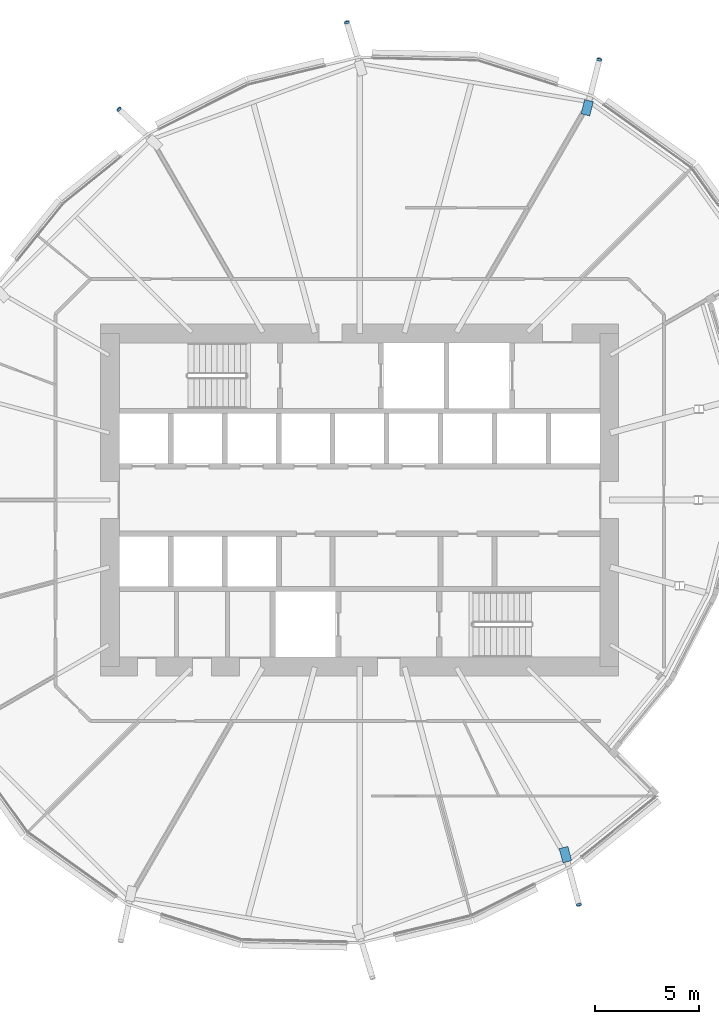
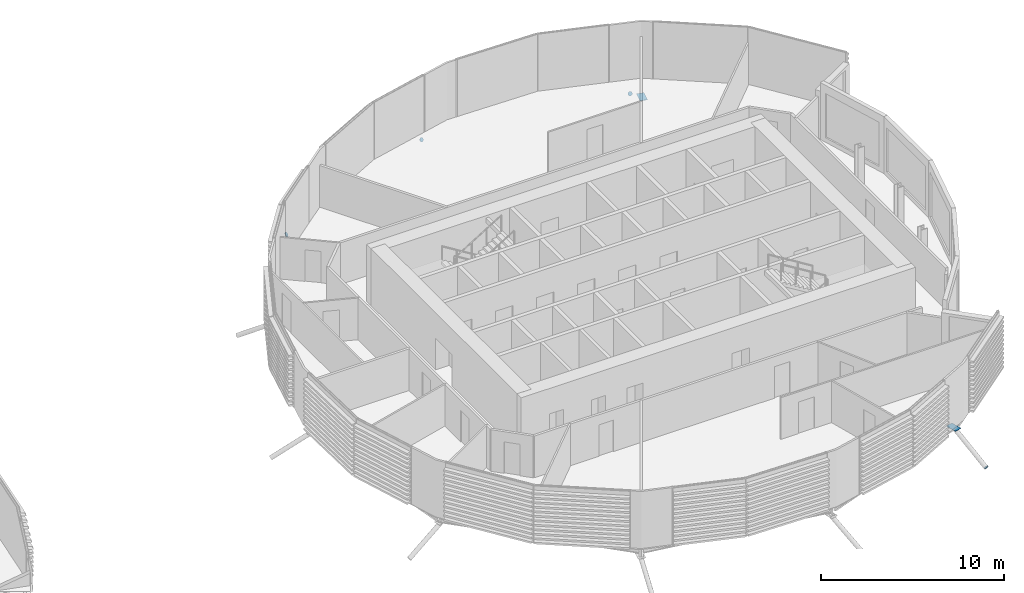
# One storey, part 31 of 37: 6 discrete accessories.
"""IFC4 building model written with IfcOpenShell, lengths in metres."""

from ifc_helpers import new_model, si_unit, direction, frame, origin, origin_2d, place, context, subcontext, project, spatial, polyline, rectangle, circle, outline, extrude, material, material_profile, profile_set, type_object, element, save


model = new_model("IFC4")

# Units and contexts
model_context = context("Model", 3, precision=1e-05, world=origin(), true_north=direction((0.0, 1.0)))
body_context = subcontext(model_context, "Body", "Model", "MODEL_VIEW")
ifc_project = project(units=[si_unit("LENGTHUNIT", "METRE"), si_unit("AREAUNIT", "SQUARE_METRE"), si_unit("VOLUMEUNIT", "CUBIC_METRE"), si_unit("PLANEANGLEUNIT", "RADIAN"), si_unit("MASSUNIT", "GRAM", prefix="KILO")], contexts=[model_context])

# Site, building, storey
site_placement = place(None, origin())
site = spatial("IfcSite", under=ifc_project, at=site_placement, CompositionType="ELEMENT")
building_placement = place(site_placement, origin())
building = spatial("IfcBuilding", under=site, at=building_placement, Name="Rimbun Link Towers", CompositionType="ELEMENT")
storey_placement = place(building_placement, frame((0.0, 0.0, 45.199951171875)))
storey = spatial("IfcBuildingStorey", under=building, at=storey_placement, Name="L10", CompositionType="ELEMENT", Elevation=45.199951171875)

# Discrete accessories
ifc_material_1 = material(Name="Steel S355J2H", Category="steel")
ifc_material_profile_1 = material_profile(ifc_material_1, circle(Radius=0.1240234375, at=origin_2d()), Name="PL D248")
ifc_profile_set_1 = profile_set([ifc_material_profile_1], Name="Steel S355J2H")
discrete_accessory_type_1 = type_object("IfcDiscreteAccessoryType", Name="Link foot sealing plate D248X20", PredefinedType="BRACKET", material=ifc_profile_set_1)
for number, where, z_axis, x_axis, name in (
    (1, (43.26611328125, 21.15185546875, -2.24072265625), (0.207209243947, 0.841025754843, -0.499739941283), (-0.970964611728, 0.239223165208, 0.0), "Link foot sealing plate T2 L10 01"),
    (2, (31.1376953125, 22.943603515625, -2.149169921875), (-0.257228578574, 0.832930635384, -0.489959197285), (-0.955474691182, -0.295073066394, 0.0), "Link foot sealing plate T2 L10 03"),
    (3, (20.19677734375, 18.772216796875, -2.109375), (-0.635044198054, 0.598407032782, -0.488495536965), (-0.685801146497, -0.727788971793, 0.0), "Link foot sealing plate T2 L10 05"),
):
    element("IfcDiscreteAccessory", number, at=place(storey_placement, frame(where, z_axis=z_axis, x_axis=x_axis)), inside=storey, type_object=discrete_accessory_type_1, Name=name, PredefinedType="BRACKET", context=body_context, shape_type="SweptSolid", body=[
        extrude(circle(Radius=0.1240234375, at=origin_2d()), origin(), (0.0, 0.0, 1.0), 0.02001953125),
    ])
discrete_accessory_1_placement = place(storey_placement, frame((42.283203125, -19.439208984375, -2.20947265625), z_axis=(0.222442706069, -0.840339111815, -0.494317124597), x_axis=(0.966705227862, 0.255892560316, 0.0)))
element("IfcDiscreteAccessory", 4, at=discrete_accessory_1_placement, inside=storey, type_object=discrete_accessory_type_1, Name="Link foot sealing plate T2 L10 17", PredefinedType="BRACKET", context=body_context, shape_type="SweptSolid", body=[
    extrude(circle(Radius=0.1240234375, at=origin_2d()), origin(), (0.0, 0.0, 1.0), 0.019775390625),
])
ifc_material_2 = material(Name="Steel S355J2H", Category="steel")
ifc_material_profile_2 = material_profile(ifc_material_2, rectangle(XDim=0.43310546875, YDim=0.43310546875, at=origin_2d()), Name="PL 433x433")
ifc_profile_set_2 = profile_set([ifc_material_profile_2], Name="Steel S355J2H")
discrete_accessory_type_2 = type_object("IfcDiscreteAccessoryType", Name="Link head end plate 433X20", PredefinedType="BRACKET", material=ifc_profile_set_2)
discrete_accessory_2_placement = place(storey_placement, frame((0.0, 0.0, -0.863525390625)))
element("IfcDiscreteAccessory", 5, at=discrete_accessory_2_placement, inside=storey, type_object=discrete_accessory_type_2, Name="Link head end plate T2 L10 01", PredefinedType="BRACKET", context=body_context, shape_type="SweptSolid", body=[
    extrude(outline(polyline([(42.810791015625, 18.456787109375), (42.982666015625, 19.139404296875), (42.562744140625, 19.2451171875), (42.390869140625, 18.5625), (42.810791015625, 18.456787109375)])), origin(), (0.0, 0.0, 1.0), 0.02001953125),
])
discrete_accessory_3_placement = place(storey_placement, frame((0.0, 0.0, -0.782470703125)))
element("IfcDiscreteAccessory", 6, at=discrete_accessory_3_placement, inside=storey, type_object=discrete_accessory_type_2, Name="Link head end plate T2 L10 17", PredefinedType="BRACKET", context=body_context, shape_type="SweptSolid", body=[
    extrude(outline(polyline([(41.340576171875, -16.75830078125), (41.523681640625, -17.44140625), (41.94189453125, -17.329345703125), (41.7587890625, -16.64599609375), (41.340576171875, -16.75830078125)])), origin(), (0.0, 0.0, 1.0), 0.02001953125),
])

save(model, "model.ifc")
